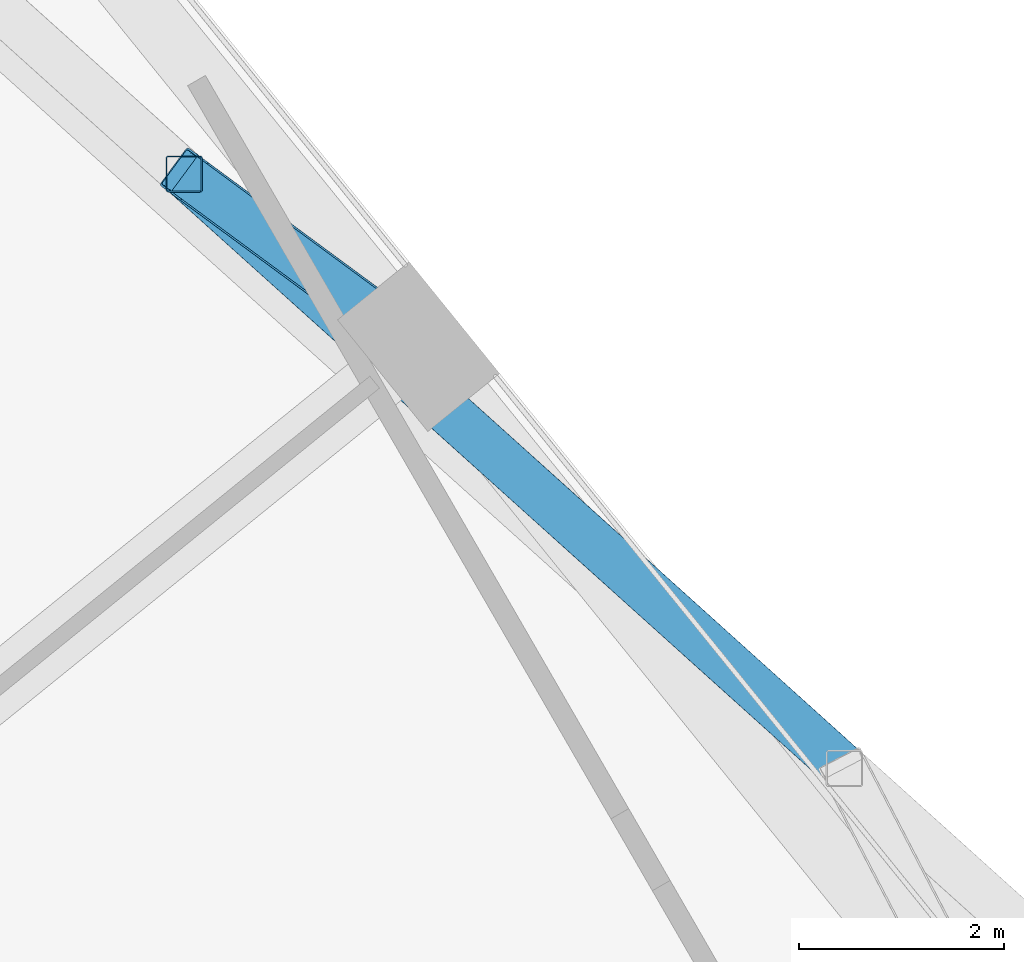
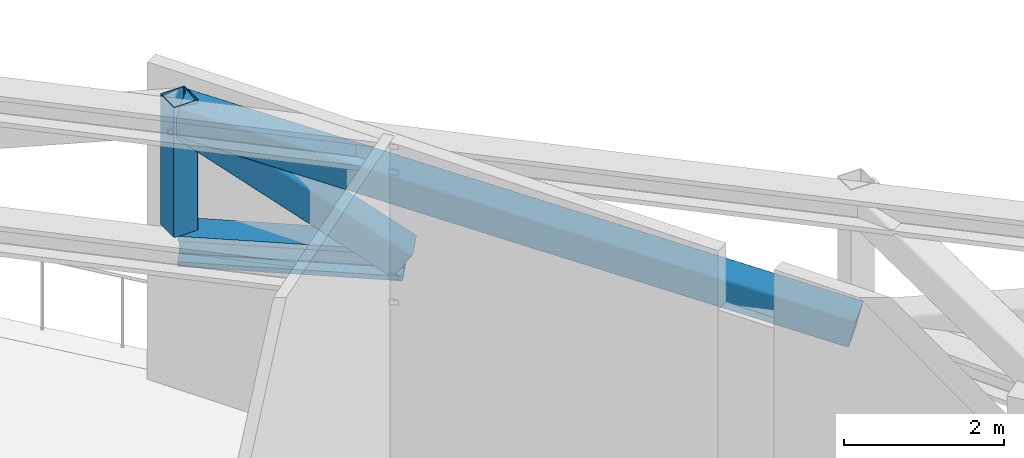
# One storey, part 9 of 20: 4 members.
"""IFC4 building model written with IfcOpenShell, lengths in metres."""

from ifc_helpers import new_model, si_unit, direction, frame, origin, origin_2d, place, context, subcontext, project, spatial, hollow_rectangle, i_section, extrude, material, material_profile, profile_set, type_object, element, save


model = new_model("IFC4")

# Units and contexts
model_context = context("Model", 3, precision=1e-05, world=origin(), true_north=direction((0.0, 1.0)))
body_context = subcontext(model_context, "Body", "Model", "MODEL_VIEW")
ifc_project = project(units=[si_unit("LENGTHUNIT", "METRE"), si_unit("AREAUNIT", "SQUARE_METRE"), si_unit("VOLUMEUNIT", "CUBIC_METRE"), si_unit("PLANEANGLEUNIT", "RADIAN"), si_unit("MASSUNIT", "GRAM", prefix="KILO")], contexts=[model_context])

# Site, building, storey
site_placement = place(None, origin())
site = spatial("IfcSite", under=ifc_project, at=site_placement, CompositionType="ELEMENT")
building_placement = place(site_placement, origin())
building = spatial("IfcBuilding", under=site, at=building_placement, Name="Tramontana Tower", CompositionType="ELEMENT")
storey_placement = place(building_placement, frame((0.0, 0.0, 83.199951171875)))
storey = spatial("IfcBuildingStorey", under=building, at=storey_placement, Name="L18", CompositionType="ELEMENT", Elevation=83.199951171875)

# Members
ifc_material_1 = material(Name="Steel ASTM A500 Grade C", Category="steel")
ifc_material_profile_1 = material_profile(ifc_material_1, hollow_rectangle(XDim=0.355712890625, YDim=0.355712890625, WallThickness=0.01171875, InnerFilletRadius=0.01171875, OuterFilletRadius=0.023681640625, at=origin_2d()), Name="HSS14X14X1/2")
ifc_profile_set_1 = profile_set([ifc_material_profile_1], Name="Steel ASTM A500 Grade C")
member_type_1 = type_object("IfcMemberType", Name="Belt truss HSS14X14X1/2 post", PredefinedType="POST", material=ifc_profile_set_1)
member_1_placement = place(storey_placement, frame((11.7431640625, 13.042236328125, 2.86376953125), z_axis=(0.0, 0.0, 1.0), x_axis=(1.0, 0.0, 0.0)))
element("IfcMember", 1, at=member_1_placement, inside=storey, type_object=member_type_1, Name="Belt truss post C2F13", PredefinedType="POST", context=body_context, shape_type="SweptSolid", body=[
    extrude(hollow_rectangle(XDim=0.355712890625, YDim=0.355712890625, WallThickness=0.01171875, InnerFilletRadius=0.01171875, OuterFilletRadius=0.023681640625, at=origin_2d()), origin(), (0.0, 0.0, 1.0), 1.986328125),
])
ifc_material_2 = material(Name="Steel ASTM A500 Grade C", Category="steel")
ifc_material_profile_2 = material_profile(ifc_material_2, hollow_rectangle(XDim=0.457275390625, YDim=0.457275390625, WallThickness=0.017822265625, InnerFilletRadius=0.017822265625, OuterFilletRadius=0.035400390625, at=origin_2d()), Name="HSS18X18X3/4")
ifc_profile_set_2 = profile_set([ifc_material_profile_2], Name="Steel ASTM A500 Grade C")
member_type_2 = type_object("IfcMemberType", Name="Belt truss HSS18X18X3/4 brace", PredefinedType="BRACE", material=ifc_profile_set_2)
member_2_placement = place(storey_placement, frame((18.17919921875, 7.247314453125, 2.6318359375), z_axis=(-0.724343605185, 0.652189508106, 0.223551307632), x_axis=(-0.669123578479, -0.743151153348, 0.0)))
element("IfcMember", 2, at=member_2_placement, inside=storey, type_object=member_type_2, Name="Belt truss diagonal S2.3", PredefinedType="BRACE", context=body_context, shape_type="SweptSolid", body=[
    extrude(hollow_rectangle(XDim=0.457275390625, YDim=0.457275390625, WallThickness=0.017822265625, InnerFilletRadius=0.017822265625, OuterFilletRadius=0.035400390625, at=origin_2d()), origin(), (0.0, 0.0, 1.0), 8.88525390625),
])
ifc_material_3 = material(Name="Steel ASTM A500 Grade C", Category="steel")
ifc_material_profile_3 = material_profile(ifc_material_3, hollow_rectangle(XDim=0.457275390625, YDim=0.457275390625, WallThickness=0.017822265625, InnerFilletRadius=0.017822265625, OuterFilletRadius=0.035400390625, at=origin_2d()), Name="HSS18X18X3/4")
ifc_profile_set_3 = profile_set([ifc_material_profile_3], Name="Steel ASTM A500 Grade C")
member_type_3 = type_object("IfcMemberType", Name="Transfer truss HSS18X18X3/4 brace", PredefinedType="BRACE", material=ifc_profile_set_3)
member_3_placement = place(storey_placement, frame((14.027587890625, 11.359130859375, 2.6318359375), z_axis=(-0.659540571968, 0.485932745874, 0.573476765366), x_axis=(-0.593163817995, -0.805081787784, 0.0)))
element("IfcMember", 3, at=member_3_placement, inside=storey, type_object=member_type_3, Name="Transfer truss strut C2F13 diagonal", PredefinedType="BRACE", context=body_context, shape_type="SweptSolid", body=[
    extrude(hollow_rectangle(XDim=0.457275390625, YDim=0.457275390625, WallThickness=0.017822265625, InnerFilletRadius=0.017822265625, OuterFilletRadius=0.035400390625, at=origin_2d()), origin(), (0.0, 0.0, 1.0), 3.463623046875),
])
ifc_material_4 = material(Name="Steel ASTM A992 Grade 50", Category="steel")
ifc_material_profile_4 = material_profile(ifc_material_4, i_section(OverallWidth=0.42236328125, OverallDepth=0.463623046875, WebThickness=0.04443359375, FlangeThickness=0.072998046875, FilletRadius=0.014892578125, at=origin_2d()), Name="W14X398")
ifc_profile_set_4 = profile_set([ifc_material_profile_4], Name="Steel ASTM A992 Grade 50")
member_type_4 = type_object("IfcMemberType", Name="Transfer truss W14X398 strut", PredefinedType="STRUT", material=ifc_profile_set_4)
member_4_placement = place(storey_placement, frame((14.027587890625, 11.359130859375, 2.6318359375), z_axis=(-0.805081787784, 0.593163817995, 0.0), x_axis=(-0.593163817995, -0.805081787784, 0.0)))
element("IfcMember", 4, at=member_4_placement, inside=storey, type_object=member_type_4, Name="Transfer truss strut C2F13 bottom", PredefinedType="STRUT", context=body_context, shape_type="SweptSolid", body=[
    extrude(i_section(OverallWidth=0.42236328125, OverallDepth=0.463623046875, WebThickness=0.04443359375, FlangeThickness=0.072998046875, FilletRadius=0.014892578125, at=origin_2d()), origin(), (0.0, 0.0, 1.0), 2.83740234375),
])

save(model, "model.ifc")
